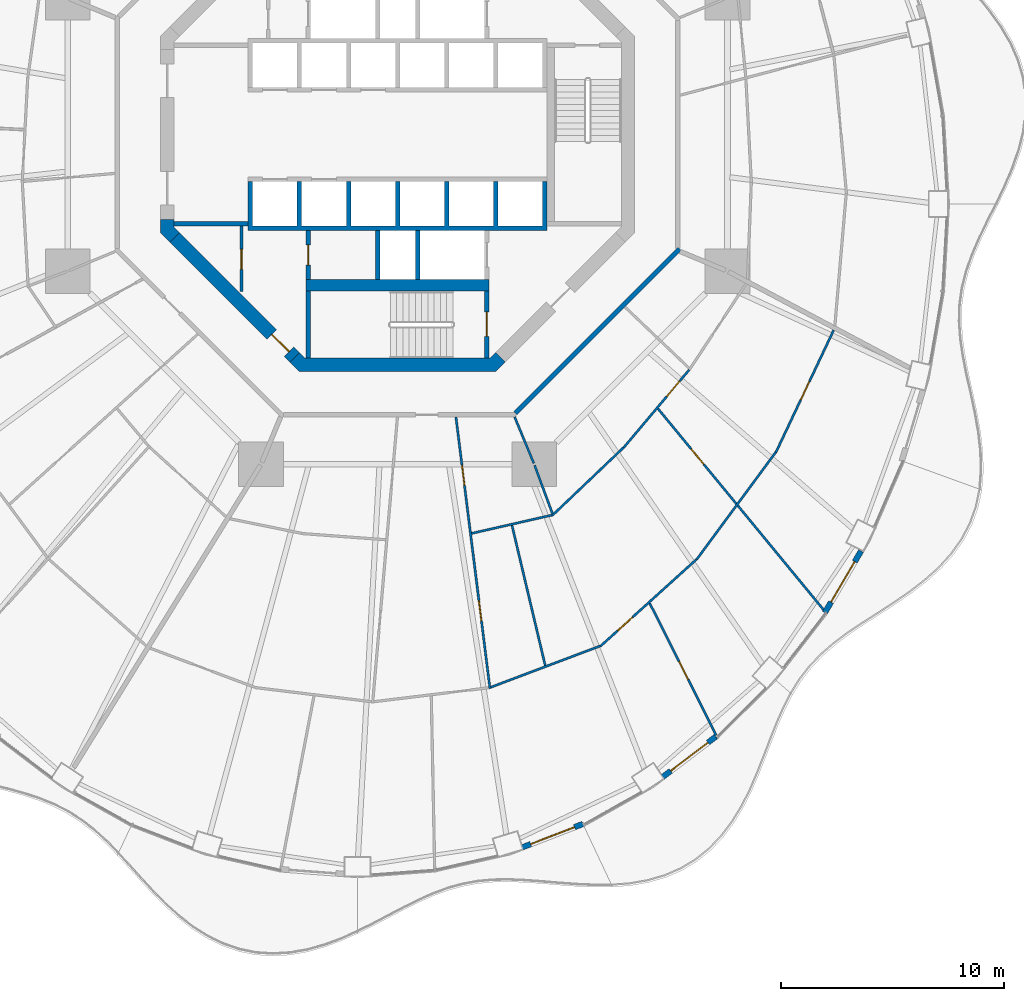
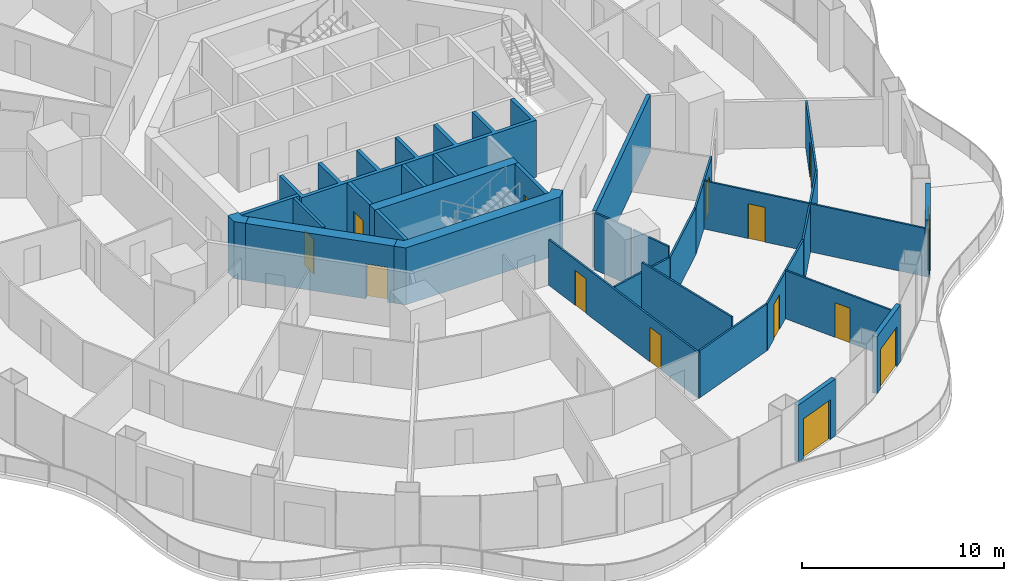
# One storey, part 13 of 20: 29 walls, 14 doors, 14 openings.
"""IFC4 building model written with IfcOpenShell, lengths in metres."""

from ifc_helpers import new_model, si_unit, direction, frame, frame_2d, origin, place, context, subcontext, project, spatial, polyline, rectangle, outline, extrude, material, layer, layer_set, type_object, element, fill, save


model = new_model("IFC4")

# Units and contexts
model_context = context("Model", 3, precision=1e-05, world=origin(), true_north=direction((0.0, 1.0)))
body_context = subcontext(model_context, "Body", "Model", "MODEL_VIEW")
ifc_project = project(units=[si_unit("LENGTHUNIT", "METRE"), si_unit("AREAUNIT", "SQUARE_METRE"), si_unit("VOLUMEUNIT", "CUBIC_METRE"), si_unit("PLANEANGLEUNIT", "RADIAN"), si_unit("MASSUNIT", "GRAM", prefix="KILO")], contexts=[model_context])

# Site, building, storey
site_placement = place(None, origin())
site = spatial("IfcSite", under=ifc_project, at=site_placement, CompositionType="ELEMENT")
building_placement = place(site_placement, origin())
building = spatial("IfcBuilding", under=site, at=building_placement, Name="Nagisa Residences", CompositionType="ELEMENT")
storey_placement = place(building_placement, frame((0.0, 0.0, 141.800048828125)))
storey = spatial("IfcBuildingStorey", under=building, at=storey_placement, Name="L35", CompositionType="ELEMENT", Elevation=141.800048828125)

# Wall
ifc_material_1 = material(Name="Gypsum board on steel studs", Category="steel")
ifc_layer_1 = layer(ifc_material_1, 0.199951171875)
ifc_layer_set_1 = layer_set([ifc_layer_1], Name="Apartment entry wall EI60 200")
wall_type_1 = type_object("IfcWallType", Name="Apartment entry wall EI60 200", PredefinedType="PARTITIONING", material=ifc_layer_set_1)
wall_1_placement = place(storey_placement, frame((5.275146484375, -12.494140625, 0.0), z_axis=(0.0, 0.0, 1.0), x_axis=(0.707106781187, 0.707106781187, 0.0)))
element("IfcWall", 1, at=wall_1_placement, inside=storey, type_object=wall_type_1, Name="wall:L35:u15", PredefinedType="PARTITIONING", context=body_context, shape_type="SweptSolid", body=[
    extrude(rectangle(XDim=10.4091796875, YDim=0.199951171875, at=frame_2d((5.20458984375, 0.0))), origin(), (0.0, 0.0, 1.0), 3.43994140625),
])

# Wall, openings, doors
ifc_material_2 = material(Name="Gypsum board on steel studs", Category="steel")
ifc_layer_2 = layer(ifc_material_2, 0.10009765625)
ifc_layer_set_2 = layer_set([ifc_layer_2], Name="Apartment partition 100")
wall_type_2 = type_object("IfcWallType", Name="Apartment partition 100", PredefinedType="PARTITIONING", material=ifc_layer_set_2)
wall_2_placement = place(storey_placement, frame((2.61474609375, -12.6640625, 0.0), z_axis=(0.0, 0.0, 1.0), x_axis=(0.124051875784, -0.992275733914, 0.0)))
wall_2 = element("IfcWall", 2, at=wall_2_placement, inside=storey, type_object=wall_type_2, Name="wall:L35:u77", PredefinedType="PARTITIONING", context=body_context, shape_type="SweptSolid", body=[
    extrude(rectangle(XDim=12.270751953125, YDim=0.10009765625, at=frame_2d((6.13525390625, 0.0))), origin(), (0.0, 0.0, 1.0), 2.755859375),
])
opening_1_placement = place(wall_2_placement, frame((2.182861328125, 0.0, 0.0)))
opening_1 = element("IfcOpeningElement", 3, at=opening_1_placement, cuts=wall_2, Name="Opening L35-U16", PredefinedType="OPENING", context=body_context, shape_type="SweptSolid", body=[
    extrude(rectangle(XDim=0.89990234375, YDim=2.10009765625, at=frame_2d((0.449951171875, 1.050048828125))), frame((0.0, 0.06005859375, 0.0), z_axis=(0.0, -1.0, 0.0), x_axis=(1.0, 0.0, 0.0)), (0.0, 0.0, 1.0), 0.1201171875),
])
opening_2_placement = place(wall_2_placement, frame((8.293212890625, 0.0, 0.0)))
opening_2 = element("IfcOpeningElement", 4, at=opening_2_placement, cuts=wall_2, Name="Opening L35-U18", PredefinedType="OPENING", context=body_context, shape_type="SweptSolid", body=[
    extrude(rectangle(XDim=0.89990234375, YDim=2.10009765625, at=frame_2d((0.449951171875, 1.050048828125))), frame((0.0, 0.06005859375, 0.0), z_axis=(0.0, -1.0, 0.0), x_axis=(1.0, 0.0, 0.0)), (0.0, 0.0, 1.0), 0.1201171875),
])
ifc_material_3 = material(Name="Timber door set", Category="wood")
door_type_1 = type_object("IfcDoorType", Name="Apartment door 900x2100", OperationType="NOTDEFINED", PredefinedType="DOOR", material=ifc_material_3)
door_1_placement = place(opening_1_placement, origin())
door_1 = element("IfcDoor", 5, at=door_1_placement, inside=storey, type_object=door_type_1, Name="Door to family bathroom, Apartment 35B", OperationType="SINGLE_SWING_RIGHT", OverallHeight=2.10009765625, OverallWidth=0.89990234375, PredefinedType="DOOR", context=body_context, shape_type="SweptSolid", body=[
    extrude(rectangle(XDim=0.89990234375, YDim=2.10009765625, at=frame_2d((0.449951171875, 1.050048828125))), frame((0.0, 0.02490234375, 0.0), z_axis=(0.0, -1.0, 0.0), x_axis=(1.0, 0.0, 0.0)), (0.0, 0.0, 1.0), 0.050048828125),
])
fill(opening_1, door_1)
door_2_placement = place(opening_2_placement, origin())
door_2 = element("IfcDoor", 6, at=door_2_placement, inside=storey, type_object=door_type_1, Name="Door to family bathroom, Apartment 35B", OperationType="SINGLE_SWING_RIGHT", OverallHeight=2.10009765625, OverallWidth=0.89990234375, PredefinedType="DOOR", context=body_context, shape_type="SweptSolid", body=[
    extrude(rectangle(XDim=0.89990234375, YDim=2.10009765625, at=frame_2d((0.449951171875, 1.050048828125))), frame((0.0, 0.02490234375, 0.0), z_axis=(0.0, -1.0, 0.0), x_axis=(1.0, 0.0, 0.0)), (0.0, 0.0, 1.0), 0.050048828125),
])
fill(opening_2, door_2)

# Walls
wall_3_placement = place(storey_placement, frame((3.316650390625, -17.8779296875, 0.0), z_axis=(0.0, 0.0, 1.0), x_axis=(0.975099660451, 0.221767112505, 0.0)))
element("IfcWall", 7, at=wall_3_placement, inside=storey, type_object=wall_type_2, Name="wall:L35:u78", PredefinedType="PARTITIONING", context=body_context, shape_type="SweptSolid", body=[
    extrude(rectangle(XDim=3.685791015625, YDim=0.10009765625, at=frame_2d((1.8427734375, 0.0))), origin(), (0.0, 0.0, 1.0), 2.827880859375),
])
wall_4_placement = place(storey_placement, frame((4.177734375, -24.77294921875, 0.0), z_axis=(0.0, 0.0, 1.0), x_axis=(0.935585145124, 0.353101169955, 0.0)))
element("IfcWall", 8, at=wall_4_placement, inside=storey, type_object=wall_type_2, Name="wall:L35:u79", PredefinedType="PARTITIONING", context=body_context, shape_type="SweptSolid", body=[
    extrude(rectangle(XDim=5.2333984375, YDim=0.10009765625, at=frame_2d((2.61669921875, 0.0))), origin(), (0.0, 0.0, 1.0), 2.827880859375),
])
wall_5_placement = place(storey_placement, frame((5.125244140625, -17.517822265625, 0.0), z_axis=(0.0, 0.0, 1.0), x_axis=(0.230621848401, -0.973043453829, 0.0)))
element("IfcWall", 9, at=wall_5_placement, inside=storey, type_object=wall_type_2, Name="wall:L35:u80", PredefinedType="PARTITIONING", context=body_context, shape_type="SweptSolid", body=[
    extrude(rectangle(XDim=6.45654296875, YDim=0.10009765625, at=frame_2d((3.228271484375, 0.0))), origin(), (0.0, 0.0, 1.0), 3.43994140625),
])
wall_6_placement = place(storey_placement, frame((5.24267578125, -12.6572265625, 0.0), z_axis=(0.0, 0.0, 1.0), x_axis=(0.382703272338, -0.923871314276, 0.0)))
element("IfcWall", 10, at=wall_6_placement, inside=storey, type_object=wall_type_2, Name="wall:L35:u81", PredefinedType="PARTITIONING", context=body_context, shape_type="SweptSolid", body=[
    extrude(rectangle(XDim=2.249267578125, YDim=0.10009765625, at=frame_2d((1.12451171875, 0.0))), origin(), (0.0, 0.0, 1.0), 3.43994140625),
])
wall_7_placement = place(storey_placement, frame((6.14013671875, -14.8291015625, 0.0), z_axis=(0.0, 0.0, 1.0), x_axis=(0.346198576881, -0.938161257655, 0.0)))
element("IfcWall", 11, at=wall_7_placement, inside=storey, type_object=wall_type_2, Name="wall:L35:u82", PredefinedType="PARTITIONING", context=body_context, shape_type="SweptSolid", body=[
    extrude(rectangle(XDim=2.316650390625, YDim=0.10009765625, at=frame_2d((1.158203125, 0.0))), origin(), (0.0, 0.0, 1.0), 3.43994140625),
])
wall_8_placement = place(storey_placement, frame((6.92333984375, -17.083984375, 0.0), z_axis=(0.0, 0.0, 1.0), x_axis=(0.723719008606, 0.690094773623, 0.0)))
element("IfcWall", 12, at=wall_8_placement, inside=storey, type_object=wall_type_2, Name="wall:L35:u83", PredefinedType="PARTITIONING", context=body_context, shape_type="SweptSolid", body=[
    extrude(rectangle(XDim=4.436279296875, YDim=0.10009765625, at=frame_2d((2.21826171875, 0.0))), origin(), (0.0, 0.0, 1.0), 2.827880859375),
])

# Wall, opening, door
wall_9_placement = place(storey_placement, frame((9.083740234375, -22.94091796875, 0.0), z_axis=(0.0, 0.0, 1.0), x_axis=(0.741684187175, 0.670749257543, 0.0)))
wall_9 = element("IfcWall", 13, at=wall_9_placement, inside=storey, type_object=wall_type_2, Name="wall:L35:u84", PredefinedType="PARTITIONING", context=body_context, shape_type="SweptSolid", body=[
    extrude(rectangle(XDim=5.80615234375, YDim=0.10009765625, at=frame_2d((2.903076171875, 0.0))), origin(), (0.0, 0.0, 1.0), 2.827880859375),
])
opening_3_placement = place(wall_9_placement, frame((1.051513671875, 0.0, 0.0)))
opening_3 = element("IfcOpeningElement", 14, at=opening_3_placement, cuts=wall_9, Name="Opening L35-U23", PredefinedType="OPENING", context=body_context, shape_type="SweptSolid", body=[
    extrude(rectangle(XDim=0.89990234375, YDim=2.10009765625, at=frame_2d((0.449951171875, 1.050048828125))), frame((0.0, 0.06005859375, 0.0), z_axis=(0.0, -1.0, 0.0), x_axis=(1.0, 0.0, 0.0)), (0.0, 0.0, 1.0), 0.1201171875),
])
door_3_placement = place(opening_3_placement, origin())
door_3 = element("IfcDoor", 15, at=door_3_placement, inside=storey, type_object=door_type_1, Name="Door to family room, Apartment 35B", OperationType="SINGLE_SWING_LEFT", OverallHeight=2.10009765625, OverallWidth=0.89990234375, PredefinedType="DOOR", context=body_context, shape_type="SweptSolid", body=[
    extrude(rectangle(XDim=0.89990234375, YDim=2.10009765625, at=frame_2d((0.449951171875, 1.050048828125))), frame((0.0, 0.02490234375, 0.0), z_axis=(0.0, -1.0, 0.0), x_axis=(1.0, 0.0, 0.0)), (0.0, 0.0, 1.0), 0.050048828125),
])
fill(opening_3, door_3)

wall_10_placement = place(storey_placement, frame((11.29638671875, -21.0048828125, 0.0), z_axis=(0.0, 0.0, 1.0), x_axis=(0.44991509116, -0.893071335755, 0.0)))
wall_10 = element("IfcWall", 16, at=wall_10_placement, inside=storey, type_object=wall_type_2, Name="wall:L35:u85", PredefinedType="PARTITIONING", context=body_context, shape_type="SweptSolid", body=[
    extrude(rectangle(XDim=6.754638671875, YDim=0.10009765625, at=frame_2d((3.37744140625, 0.0))), origin(), (0.0, 0.0, 1.0), 2.905029296875),
])
opening_4_placement = place(wall_10_placement, frame((2.927490234375, 0.0, 0.0)))
opening_4 = element("IfcOpeningElement", 17, at=opening_4_placement, cuts=wall_10, Name="Opening L35-U22", PredefinedType="OPENING", context=body_context, shape_type="SweptSolid", body=[
    extrude(rectangle(XDim=0.89990234375, YDim=2.10009765625, at=frame_2d((0.449951171875, 1.050048828125))), frame((0.0, 0.06005859375, 0.0), z_axis=(0.0, -1.0, 0.0), x_axis=(1.0, 0.0, 0.0)), (0.0, 0.0, 1.0), 0.1201171875),
])
door_4_placement = place(opening_4_placement, origin())
door_4 = element("IfcDoor", 18, at=door_4_placement, inside=storey, type_object=door_type_1, Name="Door to master bedroom, Apartment 35B", OperationType="SINGLE_SWING_RIGHT", OverallHeight=2.10009765625, OverallWidth=0.89990234375, PredefinedType="DOOR", context=body_context, shape_type="SweptSolid", body=[
    extrude(rectangle(XDim=0.89990234375, YDim=2.10009765625, at=frame_2d((0.449951171875, 1.050048828125))), frame((0.0, 0.02490234375, 0.0), z_axis=(0.0, -1.0, 0.0), x_axis=(1.0, 0.0, 0.0)), (0.0, 0.0, 1.0), 0.050048828125),
])
fill(opening_4, door_4)

wall_11_placement = place(storey_placement, frame((10.13818359375, -14.026123046875, 0.0), z_axis=(0.0, 0.0, 1.0), x_axis=(0.644051444483, 0.764982180746, 0.0)))
wall_11 = element("IfcWall", 19, at=wall_11_placement, inside=storey, type_object=wall_type_2, Name="wall:L35:u86", PredefinedType="PARTITIONING", context=body_context, shape_type="SweptSolid", body=[
    extrude(rectangle(XDim=4.54833984375, YDim=0.10009765625, at=frame_2d((2.274169921875, 0.0))), origin(), (0.0, 0.0, 1.0), 2.827880859375),
])
opening_5_placement = place(wall_11_placement, frame((2.986328125, 0.0, 0.0)))
opening_5 = element("IfcOpeningElement", 20, at=opening_5_placement, cuts=wall_11, Name="Opening L35-U26", PredefinedType="OPENING", context=body_context, shape_type="SweptSolid", body=[
    extrude(rectangle(XDim=0.89990234375, YDim=2.10009765625, at=frame_2d((0.449951171875, 1.050048828125))), frame((0.0, 0.06005859375, 0.0), z_axis=(0.0, -1.0, 0.0), x_axis=(1.0, 0.0, 0.0)), (0.0, 0.0, 1.0), 0.1201171875),
])
door_5_placement = place(opening_5_placement, origin())
door_5 = element("IfcDoor", 21, at=door_5_placement, inside=storey, type_object=door_type_1, Name="Door to store, Apartment 35B", OperationType="SINGLE_SWING_RIGHT", OverallHeight=2.10009765625, OverallWidth=0.89990234375, PredefinedType="DOOR", context=body_context, shape_type="SweptSolid", body=[
    extrude(rectangle(XDim=0.89990234375, YDim=2.10009765625, at=frame_2d((0.449951171875, 1.050048828125))), frame((0.0, 0.02490234375, 0.0), z_axis=(0.0, -1.0, 0.0), x_axis=(1.0, 0.0, 0.0)), (0.0, 0.0, 1.0), 0.050048828125),
])
fill(opening_5, door_5)

# Wall
wall_12_placement = place(storey_placement, frame((13.3974609375, -19.05322265625, 0.0), z_axis=(0.0, 0.0, 1.0), x_axis=(0.593522299069, 0.804817544856, 0.0)))
element("IfcWall", 22, at=wall_12_placement, inside=storey, type_object=wall_type_2, Name="wall:L35:u87", PredefinedType="PARTITIONING", context=body_context, shape_type="SweptSolid", body=[
    extrude(rectangle(XDim=5.97607421875, YDim=0.10009765625, at=frame_2d((2.988037109375, 0.0))), origin(), (0.0, 0.0, 1.0), 2.827880859375),
])

# Wall, opening, door
wall_13_placement = place(storey_placement, frame((11.666748046875, -12.28662109375, 0.0), z_axis=(0.0, 0.0, 1.0), x_axis=(0.635618027424, -0.772003706736, 0.0)))
wall_13 = element("IfcWall", 23, at=wall_13_placement, inside=storey, type_object=wall_type_2, Name="wall:L35:u88", PredefinedType="PARTITIONING", context=body_context, shape_type="SweptSolid", body=[
    extrude(rectangle(XDim=11.893310546875, YDim=0.10009765625, at=frame_2d((5.94677734375, 0.0))), origin(), (0.0, 0.0, 1.0), 2.905029296875),
])
opening_6_placement = place(wall_13_placement, frame((2.341064453125, 0.0, 0.0)))
opening_6 = element("IfcOpeningElement", 24, at=opening_6_placement, cuts=wall_13, Name="Opening L35-U24", PredefinedType="OPENING", context=body_context, shape_type="SweptSolid", body=[
    extrude(rectangle(XDim=0.89990234375, YDim=2.10009765625, at=frame_2d((0.449951171875, 1.050048828125))), frame((0.0, 0.06005859375, 0.0), z_axis=(0.0, -1.0, 0.0), x_axis=(1.0, 0.0, 0.0)), (0.0, 0.0, 1.0), 0.1201171875),
])
door_6_placement = place(opening_6_placement, origin())
door_6 = element("IfcDoor", 25, at=door_6_placement, inside=storey, type_object=door_type_1, Name="Door to kitchen, Apartment 35B", OperationType="SINGLE_SWING_RIGHT", OverallHeight=2.10009765625, OverallWidth=0.89990234375, PredefinedType="DOOR", context=body_context, shape_type="SweptSolid", body=[
    extrude(rectangle(XDim=0.89990234375, YDim=2.10009765625, at=frame_2d((0.449951171875, 1.050048828125))), frame((0.0, 0.02490234375, 0.0), z_axis=(0.0, -1.0, 0.0), x_axis=(1.0, 0.0, 0.0)), (0.0, 0.0, 1.0), 0.050048828125),
])
fill(opening_6, door_6)

wall_14_placement = place(storey_placement, frame((16.95263671875, -14.24853515625, 0.0), z_axis=(0.0, 0.0, 1.0), x_axis=(0.427438858397, 0.904044259056, 0.0)))
wall_14 = element("IfcWall", 26, at=wall_14_placement, inside=storey, type_object=wall_type_2, Name="wall:L35:u91", PredefinedType="PARTITIONING", context=body_context, shape_type="SweptSolid", body=[
    extrude(rectangle(XDim=6.06298828125, YDim=0.10009765625, at=frame_2d((3.031494140625, 0.0))), origin(), (0.0, 0.0, 1.0), 2.827880859375),
])
opening_7_placement = place(wall_14_placement, frame((2.606689453125, 0.0, 0.0)))
opening_7 = element("IfcOpeningElement", 27, at=opening_7_placement, cuts=wall_14, Name="Opening L35-U25", PredefinedType="OPENING", context=body_context, shape_type="SweptSolid", body=[
    extrude(rectangle(XDim=0.89990234375, YDim=2.10009765625, at=frame_2d((0.449951171875, 1.050048828125))), frame((0.0, 0.06005859375, 0.0), z_axis=(0.0, -1.0, 0.0), x_axis=(1.0, 0.0, 0.0)), (0.0, 0.0, 1.0), 0.1201171875),
])
door_7_placement = place(opening_7_placement, frame((0.89990234375, 0.0, 0.0), x_axis=(-1.0, 0.0, 0.0)))
door_7 = element("IfcDoor", 28, at=door_7_placement, inside=storey, type_object=door_type_1, Name="Door to living room, Apartment 35B", OperationType="SINGLE_SWING_RIGHT", OverallHeight=2.10009765625, OverallWidth=0.89990234375, PredefinedType="DOOR", context=body_context, shape_type="SweptSolid", body=[
    extrude(rectangle(XDim=0.89990234375, YDim=2.10009765625, at=frame_2d((0.449951171875, 1.050048828125))), frame((0.0, 0.02490234375, 0.0), z_axis=(0.0, -1.0, 0.0), x_axis=(1.0, 0.0, 0.0)), (0.0, 0.0, 1.0), 0.050048828125),
])
fill(opening_7, door_7)

ifc_material_4 = material(Name="Precast concrete C40/50", Category="concrete")
ifc_layer_3 = layer(ifc_material_4, 0.25)
ifc_layer_set_3 = layer_set([ifc_layer_3], Name="BALCONY DOOR WALL 250")
wall_type_3 = type_object("IfcWallType", Name="BALCONY DOOR WALL 250", PredefinedType="SOLIDWALL", material=ifc_layer_set_3)
wall_15_placement = place(storey_placement, frame((8.3095703125, -30.897705078125, 0.0), z_axis=(0.0, 0.0, 1.0), x_axis=(-0.932845344347, -0.360277064952, 0.0)))
wall_15 = element("IfcWall", 29, at=wall_15_placement, inside=storey, type_object=wall_type_3, Name="wall:L35:bay38", PredefinedType="SOLIDWALL", context=body_context, shape_type="SweptSolid", body=[
    extrude(rectangle(XDim=2.92333984375, YDim=0.25, at=frame_2d((1.461669921875, 0.0))), origin(), (0.0, 0.0, 1.0), 3.43994140625),
])
opening_8_placement = place(wall_15_placement, frame((0.41162109375, 0.0, 0.0)))
opening_8 = element("IfcOpeningElement", 30, at=opening_8_placement, cuts=wall_15, Name="Opening BD-L35-13", PredefinedType="OPENING", context=body_context, shape_type="SweptSolid", body=[
    extrude(rectangle(XDim=2.10009765625, YDim=2.39990234375, at=frame_2d((1.050048828125, 1.199951171875))), frame((0.0, 0.135009765625, 0.0), z_axis=(0.0, -1.0, 0.0), x_axis=(1.0, 0.0, 0.0)), (0.0, 0.0, 1.0), 0.27001953125),
])
ifc_material_5 = material(Name="Aluminium and clear glass", Category="aluminium")
door_type_2 = type_object("IfcDoorType", Name="BALCONY SLIDING DOOR 2100x2400", OperationType="SLIDING_TO_LEFT", PredefinedType="DOOR", material=ifc_material_5)
door_8_placement = place(opening_8_placement, origin())
door_8 = element("IfcDoor", 31, at=door_8_placement, inside=storey, type_object=door_type_2, Name="door:L35:bay38", OperationType="SLIDING_TO_LEFT", OverallHeight=2.39990234375, OverallWidth=2.10009765625, PredefinedType="DOOR", context=body_context, shape_type="SweptSolid", body=[
    extrude(rectangle(XDim=2.10009765625, YDim=2.39990234375, at=frame_2d((1.050048828125, 1.199951171875))), frame((0.0, 0.02490234375, 0.0), z_axis=(0.0, -1.0, 0.0), x_axis=(1.0, 0.0, 0.0)), (0.0, 0.0, 1.0), 0.050048828125),
])
fill(opening_8, door_8)

wall_16_placement = place(storey_placement, frame((14.27783203125, -26.973388671875, 0.0), z_axis=(0.0, 0.0, 1.0), x_axis=(-0.796022231079, -0.605267385233, 0.0)))
wall_16 = element("IfcWall", 32, at=wall_16_placement, inside=storey, type_object=wall_type_3, Name="wall:L35:bay40", PredefinedType="SOLIDWALL", context=body_context, shape_type="SweptSolid", body=[
    extrude(rectangle(XDim=3.025634765625, YDim=0.25, at=frame_2d((1.5126953125, 0.0))), origin(), (0.0, 0.0, 1.0), 3.43994140625),
])
opening_9_placement = place(wall_16_placement, frame((0.462646484375, 0.0, 0.0)))
opening_9 = element("IfcOpeningElement", 33, at=opening_9_placement, cuts=wall_16, Name="Opening BD-L35-14", PredefinedType="OPENING", context=body_context, shape_type="SweptSolid", body=[
    extrude(rectangle(XDim=2.10009765625, YDim=2.39990234375, at=frame_2d((1.050048828125, 1.199951171875))), frame((0.0, 0.135009765625, 0.0), z_axis=(0.0, -1.0, 0.0), x_axis=(1.0, 0.0, 0.0)), (0.0, 0.0, 1.0), 0.27001953125),
])
door_9_placement = place(opening_9_placement, origin())
door_9 = element("IfcDoor", 34, at=door_9_placement, inside=storey, type_object=door_type_2, Name="door:L35:bay40", OperationType="SLIDING_TO_LEFT", OverallHeight=2.39990234375, OverallWidth=2.10009765625, PredefinedType="DOOR", context=body_context, shape_type="SweptSolid", body=[
    extrude(rectangle(XDim=2.10009765625, YDim=2.39990234375, at=frame_2d((1.050048828125, 1.199951171875))), frame((0.0, 0.02490234375, 0.0), z_axis=(0.0, -1.0, 0.0), x_axis=(1.0, 0.0, 0.0)), (0.0, 0.0, 1.0), 0.050048828125),
])
fill(opening_9, door_9)

wall_17_placement = place(storey_placement, frame((20.768310546875, -18.669189453125, 0.0), z_axis=(0.0, 0.0, 1.0), x_axis=(-0.506314982873, -0.862348617508, 0.0)))
wall_17 = element("IfcWall", 35, at=wall_17_placement, inside=storey, type_object=wall_type_3, Name="wall:L35:bay43", PredefinedType="SOLIDWALL", context=body_context, shape_type="SweptSolid", body=[
    extrude(rectangle(XDim=3.20849609375, YDim=0.25, at=frame_2d((1.604248046875, 0.0))), origin(), (0.0, 0.0, 1.0), 3.43994140625),
])
opening_10_placement = place(wall_17_placement, frame((0.55419921875, 0.0, 0.0)))
opening_10 = element("IfcOpeningElement", 36, at=opening_10_placement, cuts=wall_17, Name="Opening BD-L35-15", PredefinedType="OPENING", context=body_context, shape_type="SweptSolid", body=[
    extrude(rectangle(XDim=2.10009765625, YDim=2.39990234375, at=frame_2d((1.050048828125, 1.199951171875))), frame((0.0, 0.135009765625, 0.0), z_axis=(0.0, -1.0, 0.0), x_axis=(1.0, 0.0, 0.0)), (0.0, 0.0, 1.0), 0.27001953125),
])
door_10_placement = place(opening_10_placement, origin())
door_10 = element("IfcDoor", 37, at=door_10_placement, inside=storey, type_object=door_type_2, Name="door:L35:bay43", OperationType="SLIDING_TO_LEFT", OverallHeight=2.39990234375, OverallWidth=2.10009765625, PredefinedType="DOOR", context=body_context, shape_type="SweptSolid", body=[
    extrude(rectangle(XDim=2.10009765625, YDim=2.39990234375, at=frame_2d((1.050048828125, 1.199951171875))), frame((0.0, 0.02490234375, 0.0), z_axis=(0.0, -1.0, 0.0), x_axis=(1.0, 0.0, 0.0)), (0.0, 0.0, 1.0), 0.050048828125),
])
fill(opening_10, door_10)

ifc_material_6 = material(Name="Gypsum board on steel studs", Category="steel")
ifc_layer_4 = layer(ifc_material_6, 0.14990234375)
ifc_layer_set_4 = layer_set([ifc_layer_4], Name="Core partition 150")
wall_type_4 = type_object("IfcWallType", Name="Core partition 150", PredefinedType="PARTITIONING", material=ifc_layer_set_4)
wall_18_placement = place(storey_placement, frame((-7.0, -7.02685546875, 0.0), z_axis=(0.0, 0.0, 1.0), x_axis=(0.0, 1.0, 0.0)))
wall_18 = element("IfcWall", 38, at=wall_18_placement, inside=storey, type_object=wall_type_4, Name="wall:L35:SWp", PredefinedType="PARTITIONING", context=body_context, shape_type="SweptSolid", body=[
    extrude(rectangle(XDim=2.9267578125, YDim=0.14990234375, at=frame_2d((1.46337890625, 0.0))), origin(), (0.0, 0.0, 1.0), 3.43994140625),
])
opening_11_placement = place(wall_18_placement, frame((0.97607421875, 0.0, 0.0)))
opening_11 = element("IfcOpeningElement", 39, at=opening_11_placement, cuts=wall_18, Name="Opening L35-C14", PredefinedType="OPENING", context=body_context, shape_type="SweptSolid", body=[
    extrude(rectangle(XDim=0.89990234375, YDim=2.10009765625, at=frame_2d((0.449951171875, 1.050048828125))), frame((0.0, 0.0849609375, 0.0), z_axis=(0.0, -1.0, 0.0), x_axis=(1.0, 0.0, 0.0)), (0.0, 0.0, 1.0), 0.169921875),
])
ifc_material_7 = material(Name="Steel fire door", Category="steel")
door_type_3 = type_object("IfcDoorType", Name="Fire door EI30 900x2100 single swing", OperationType="NOTDEFINED", PredefinedType="DOOR", material=ifc_material_7)
door_11_placement = place(opening_11_placement, origin())
door_11 = element("IfcDoor", 40, at=door_11_placement, inside=storey, type_object=door_type_3, Name="Cleaner store door L35", OperationType="SINGLE_SWING_RIGHT", OverallHeight=2.10009765625, OverallWidth=0.89990234375, PredefinedType="DOOR", context=body_context, shape_type="SweptSolid", body=[
    extrude(rectangle(XDim=0.89990234375, YDim=2.10009765625, at=frame_2d((0.449951171875, 1.050048828125))), frame((0.0, 0.02490234375, 0.0), z_axis=(0.0, -1.0, 0.0), x_axis=(1.0, 0.0, 0.0)), (0.0, 0.0, 1.0), 0.050048828125),
])
fill(opening_11, door_11)

# Wall
ifc_material_8 = material(Name="Gypsum board on steel studs", Category="steel")
ifc_layer_5 = layer(ifc_material_8, 0.199951171875)
ifc_layer_set_5 = layer_set([ifc_layer_5], Name="Core partition 200")
wall_type_5 = type_object("IfcWallType", Name="Core partition 200", PredefinedType="PARTITIONING", material=ifc_layer_set_5)
wall_19_placement = place(storey_placement, frame((-10.024658203125, -4.0, 0.0), z_axis=(0.0, 0.0, 1.0), x_axis=(1.0, 0.0, 0.0)))
element("IfcWall", 41, at=wall_19_placement, inside=storey, type_object=wall_type_5, Name="wall:L35:PSW", PredefinedType="PARTITIONING", context=body_context, shape_type="SweptSolid", body=[
    extrude(rectangle(XDim=3.32470703125, YDim=0.199951171875, at=frame_2d((1.662353515625, 0.0))), origin(), (0.0, 0.0, 1.0), 3.43994140625),
])

# Wall, opening, door
ifc_material_9 = material(Name="Concrete C60", Category="concrete")
ifc_layer_6 = layer(ifc_material_9, 0.60009765625)
ifc_layer_set_6 = layer_set([ifc_layer_6], Name="Core shear wall 600")
wall_type_6 = type_object("IfcWallType", Name="Core shear wall 600", PredefinedType="SHEAR", material=ifc_layer_set_6)
wall_20_placement = place(storey_placement, frame((-9.98828125, -4.613037109375, 0.0), z_axis=(0.0, 0.0, 1.0), x_axis=(0.707106781187, -0.707106781187, 0.0)))
wall_20 = element("IfcWall", 42, at=wall_20_placement, inside=storey, type_object=wall_type_6, Name="wall:L35:core:flat5", PredefinedType="SHEAR", context=body_context, shape_type="SweptSolid", body=[
    extrude(rectangle(XDim=7.601806640625, YDim=0.60009765625, at=frame_2d((3.80078125, 0.0))), origin(), (0.0, 0.0, 1.0), 3.43994140625),
])
opening_12_placement = place(wall_20_placement, frame((6.15087890625, 0.0, 0.0)))
opening_12 = element("IfcOpeningElement", 43, at=opening_12_placement, cuts=wall_20, Name="Opening L35-C21", PredefinedType="OPENING", context=body_context, shape_type="SweptSolid", body=[
    extrude(rectangle(XDim=1.10009765625, YDim=2.10009765625, at=frame_2d((0.550048828125, 1.050048828125))), frame((0.0, 0.31005859375, 0.0), z_axis=(0.0, -1.0, 0.0), x_axis=(1.0, 0.0, 0.0)), (0.0, 0.0, 1.0), 0.6201171875),
])
ifc_material_10 = material(Name="Steel fire door", Category="steel")
door_type_4 = type_object("IfcDoorType", Name="Fire door EI60 1100x2100 single swing", OperationType="NOTDEFINED", PredefinedType="DOOR", material=ifc_material_10)
door_12_placement = place(opening_12_placement, origin())
door_12 = element("IfcDoor", 44, at=door_12_placement, inside=storey, type_object=door_type_4, Name="Housekeeping lobby door L35", OperationType="SINGLE_SWING_RIGHT", OverallHeight=2.10009765625, OverallWidth=1.10009765625, PredefinedType="DOOR", context=body_context, shape_type="SweptSolid", body=[
    extrude(rectangle(XDim=1.10009765625, YDim=2.10009765625, at=frame_2d((0.550048828125, 1.050048828125))), frame((0.0, 0.02490234375, 0.0), z_axis=(0.0, -1.0, 0.0), x_axis=(1.0, 0.0, 0.0)), (0.0, 0.0, 1.0), 0.050048828125),
])
fill(opening_12, door_12)

# Walls
wall_21_placement = place(storey_placement, origin())
element("IfcWall", 45, at=wall_21_placement, inside=storey, type_object=wall_type_6, Name="wall:L35:core:pier4", PredefinedType="SHEAR", context=body_context, shape_type="SweptSolid", body=[
    extrude(outline(polyline([(-10.62451171875, -3.80078125), (-10.024658203125, -3.80078125), (-10.024658203125, -4.15234375), (-9.776123046875, -4.40087890625), (-10.200439453125, -4.8251953125), (-10.62451171875, -4.40087890625), (-10.62451171875, -3.80078125)])), origin(), (0.0, 0.0, 1.0), 3.43994140625),
])
wall_22_placement = place(storey_placement, origin())
element("IfcWall", 46, at=wall_22_placement, inside=storey, type_object=wall_type_6, Name="wall:L35:core:flat6", PredefinedType="SHEAR", context=body_context, shape_type="SweptSolid", body=[
    extrude(outline(polyline([(-4.15234375, -10.024658203125), (4.15234375, -10.024658203125), (4.40087890625, -9.776123046875), (4.8251953125, -10.200439453125), (4.40087890625, -10.62451171875), (-4.40087890625, -10.62451171875), (-4.8251953125, -10.200439453125), (-4.40087890625, -9.776123046875), (-4.15234375, -10.024658203125)])), origin(), (0.0, 0.0, 1.0), 3.43994140625),
])

# Wall, opening, door
ifc_material_11 = material(Name="Concrete C60", Category="concrete")
ifc_layer_7 = layer(ifc_material_11, 0.199951171875)
ifc_layer_set_7 = layer_set([ifc_layer_7], Name="Lift shaft wall 200")
wall_type_7 = type_object("IfcWallType", Name="Lift shaft wall 200", PredefinedType="SOLIDWALL", material=ifc_layer_set_7)
wall_23_placement = place(storey_placement, frame((-4.0, -6.5, 0.0), z_axis=(0.0, 0.0, 1.0), x_axis=(0.0, 1.0, 0.0)))
wall_23 = element("IfcWall", 47, at=wall_23_placement, inside=storey, type_object=wall_type_7, Name="wall:L35:Sb4", PredefinedType="SOLIDWALL", context=body_context, shape_type="SweptSolid", body=[
    extrude(rectangle(XDim=2.199951171875, YDim=0.199951171875, at=frame_2d((1.10009765625, 0.0))), origin(), (0.0, 0.0, 1.0), 3.43994140625),
])
opening_13_placement = place(wall_23_placement, frame((0.64990234375, 0.0, 0.0)))
opening_13 = element("IfcOpeningElement", 48, at=opening_13_placement, cuts=wall_23, Name="Opening L35-C15", PredefinedType="OPENING", context=body_context, shape_type="SweptSolid", body=[
    extrude(rectangle(XDim=0.89990234375, YDim=2.10009765625, at=frame_2d((0.449951171875, 1.050048828125))), frame((0.0, 0.10986328125, 0.0), z_axis=(0.0, -1.0, 0.0), x_axis=(1.0, 0.0, 0.0)), (0.0, 0.0, 1.0), 0.219970703125),
])
door_13_placement = place(opening_13_placement, frame((0.89990234375, 0.0, 0.0), x_axis=(-1.0, 0.0, 0.0)))
door_13 = element("IfcDoor", 49, at=door_13_placement, inside=storey, type_object=door_type_3, Name="Refuse room door L35", OperationType="SINGLE_SWING_RIGHT", OverallHeight=2.10009765625, OverallWidth=0.89990234375, PredefinedType="DOOR", context=body_context, shape_type="SweptSolid", body=[
    extrude(rectangle(XDim=0.89990234375, YDim=2.10009765625, at=frame_2d((0.449951171875, 1.050048828125))), frame((0.0, 0.02490234375, 0.0), z_axis=(0.0, -1.0, 0.0), x_axis=(1.0, 0.0, 0.0)), (0.0, 0.0, 1.0), 0.050048828125),
])
fill(opening_13, door_13)

# Walls
for number, where, z_axis, x_axis, name in (
    (50, (-0.89990234375, -6.5, 0.0), (0.0, 0.0, 1.0), (0.0, 1.0, 0.0), "wall:L35:Sb1"),
    (51, (0.89990234375, -6.5, 0.0), (0.0, 0.0, 1.0), (0.0, 1.0, 0.0), "wall:L35:Sb2"),
):
    element("IfcWall", number, at=place(storey_placement, frame(where, z_axis=z_axis, x_axis=x_axis)), inside=storey, type_object=wall_type_7, Name=name, PredefinedType="SOLIDWALL", context=body_context, shape_type="SweptSolid", body=[
        extrude(rectangle(XDim=2.199951171875, YDim=0.199951171875, at=frame_2d((1.10009765625, 0.0))), origin(), (0.0, 0.0, 1.0), 3.43994140625),
    ])
wall_24_placement = place(storey_placement, origin())
element("IfcWall", 52, at=wall_24_placement, inside=storey, type_object=wall_type_7, Name="wall:L35:Sback", PredefinedType="SOLIDWALL", context=body_context, shape_type="SweptSolid", body=[
    extrude(outline(polyline([(-6.699951171875, -2.10009765625), (-6.5, -2.10009765625), (-6.5, -4.10009765625), (-4.5, -4.10009765625), (-4.5, -2.10009765625), (-4.300048828125, -2.10009765625), (-4.300048828125, -4.10009765625), (-2.300048828125, -4.10009765625), (-2.300048828125, -2.10009765625), (-2.10009765625, -2.10009765625), (-2.10009765625, -4.10009765625), (-0.10009765625, -4.10009765625), (-0.10009765625, -2.10009765625), (0.10009765625, -2.10009765625), (0.10009765625, -4.10009765625), (2.10009765625, -4.10009765625), (2.10009765625, -2.10009765625), (2.300048828125, -2.10009765625), (2.300048828125, -4.10009765625), (4.300048828125, -4.10009765625), (4.300048828125, -2.10009765625), (4.5, -2.10009765625), (4.5, -4.10009765625), (6.5, -4.10009765625), (6.5, -2.10009765625), (6.699951171875, -2.10009765625), (6.699951171875, -4.300048828125), (-6.699951171875, -4.300048828125), (-6.699951171875, -2.10009765625)])), origin(), (0.0, 0.0, 1.0), 3.43994140625),
])

# Wall, opening, door
ifc_material_12 = material(Name="Concrete C60", Category="concrete")
ifc_layer_8 = layer(ifc_material_12, 0.199951171875)
ifc_layer_set_8 = layer_set([ifc_layer_8], Name="Stair enclosure wall 200")
wall_type_8 = type_object("IfcWallType", Name="Stair enclosure wall 200", PredefinedType="SOLIDWALL", material=ifc_layer_set_8)
wall_25_placement = place(storey_placement, frame((4.0, -10.024658203125, 0.0), z_axis=(0.0, 0.0, 1.0), x_axis=(0.0, 1.0, 0.0)))
wall_25 = element("IfcWall", 53, at=wall_25_placement, inside=storey, type_object=wall_type_8, Name="wall:L35:SS_e", PredefinedType="SOLIDWALL", context=body_context, shape_type="SweptSolid", body=[
    extrude(rectangle(XDim=3.0, YDim=0.199951171875, at=frame_2d((1.5, 0.0))), origin(), (0.0, 0.0, 1.0), 3.43994140625),
])
opening_14_placement = place(wall_25_placement, frame((0.974609375, 0.0, 0.0)))
opening_14 = element("IfcOpeningElement", 54, at=opening_14_placement, cuts=wall_25, Name="Opening L35-C11", PredefinedType="OPENING", context=body_context, shape_type="SweptSolid", body=[
    extrude(rectangle(XDim=1.10009765625, YDim=2.10009765625, at=frame_2d((0.550048828125, 1.050048828125))), frame((0.0, 0.10986328125, 0.0), z_axis=(0.0, -1.0, 0.0), x_axis=(1.0, 0.0, 0.0)), (0.0, 0.0, 1.0), 0.219970703125),
])
ifc_material_13 = material(Name="Steel fire door", Category="steel")
door_type_5 = type_object("IfcDoorType", Name="Fire door EI90 1100x2100 single swing", OperationType="NOTDEFINED", PredefinedType="DOOR", material=ifc_material_13)
door_14_placement = place(opening_14_placement, origin())
door_14 = element("IfcDoor", 55, at=door_14_placement, inside=storey, type_object=door_type_5, Name="Stair door ST-S L35", OperationType="SINGLE_SWING_RIGHT", OverallHeight=2.10009765625, OverallWidth=1.10009765625, PredefinedType="DOOR", context=body_context, shape_type="SweptSolid", body=[
    extrude(rectangle(XDim=1.10009765625, YDim=2.10009765625, at=frame_2d((0.550048828125, 1.050048828125))), frame((0.0, 0.02490234375, 0.0), z_axis=(0.0, -1.0, 0.0), x_axis=(1.0, 0.0, 0.0)), (0.0, 0.0, 1.0), 0.050048828125),
])
fill(opening_14, door_14)

# Walls
wall_26_placement = place(storey_placement, origin())
element("IfcWall", 56, at=wall_26_placement, inside=storey, type_object=wall_type_8, Name="wall:L35:SS_w", PredefinedType="SOLIDWALL", context=body_context, shape_type="SweptSolid", body=[
    extrude(outline(polyline([(-3.89990234375, -10.024658203125), (-4.10009765625, -10.024658203125), (-4.10009765625, -7.024658203125), (-3.89990234375, -7.024658203125), (-3.89990234375, -10.024658203125)])), origin(), (0.0, 0.0, 1.0), 3.43994140625),
])
wall_27_placement = place(storey_placement, origin())
element("IfcWall", 57, at=wall_27_placement, inside=storey, type_object=wall_type_8, Name="wall:L35:SS_n", PredefinedType="SOLIDWALL", context=body_context, shape_type="SweptSolid", body=[
    extrude(outline(polyline([(4.10009765625, -7.024658203125), (-4.10009765625, -7.024658203125), (-4.10009765625, -6.5), (4.10009765625, -6.5), (4.10009765625, -7.024658203125)])), origin(), (0.0, 0.0, 1.0), 3.43994140625),
])

save(model, "model.ifc")
